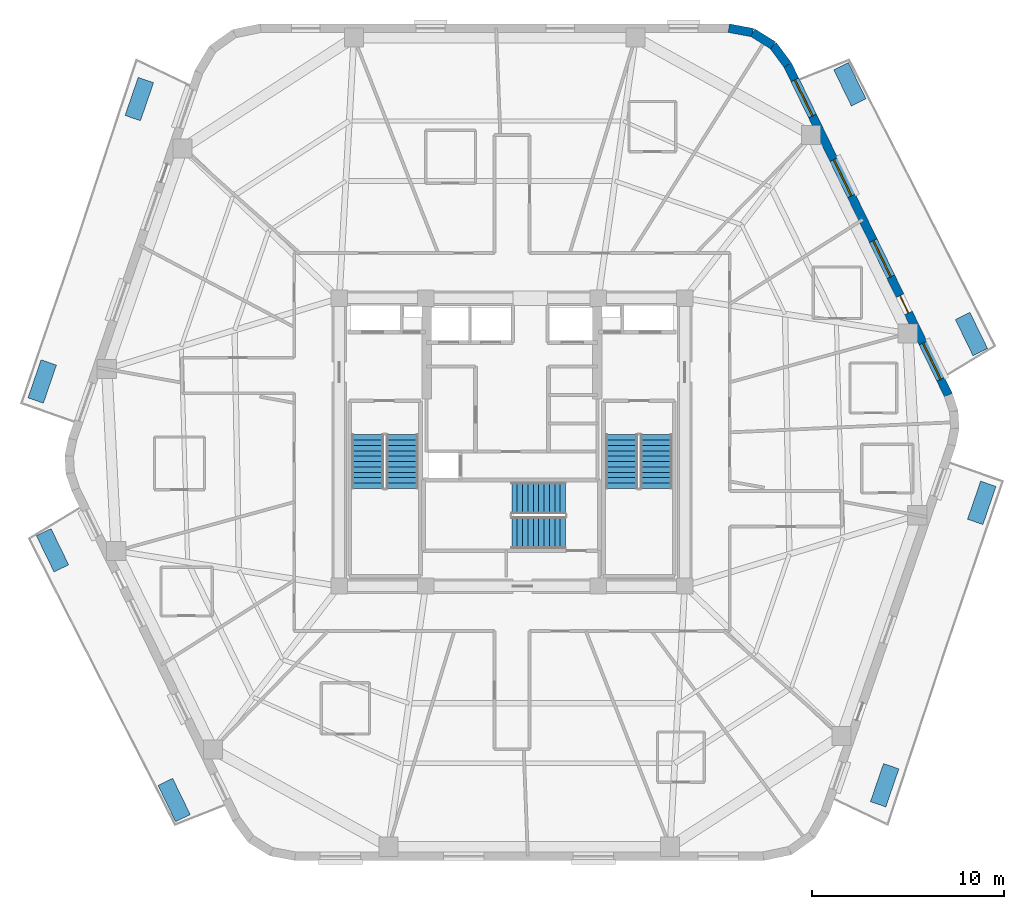
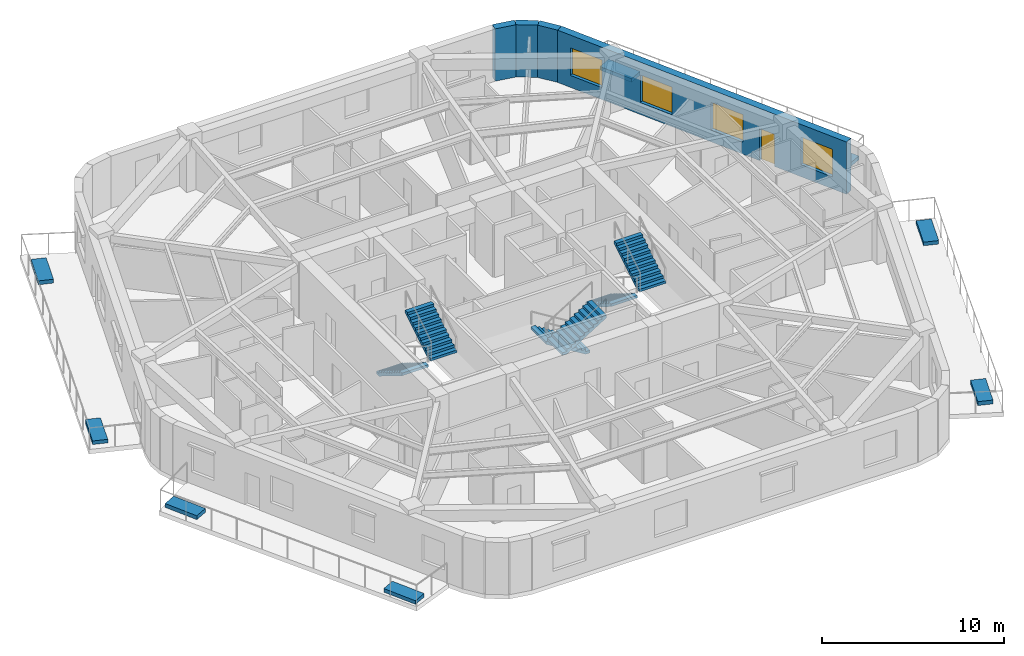
# One storey, part 7 of 10: 8 discrete accessories, 6 stair flights, 4 walls, 4 windows, 1 door, 5 openings, 3 elements without a shape of their own.
"""IFC4 building model written with IfcOpenShell, lengths in metres."""

from ifc_helpers import new_model, si_unit, direction, frame, frame_2d, origin, origin_2d, place, context, subcontext, project, spatial, polyline, rectangle, outline, extrude, material, layer, layer_set, type_object, element, fill, aggregate, save


model = new_model("IFC4")

# Units and contexts
model_context = context("Model", 3, precision=1e-05, world=origin(), true_north=direction((0.0, 1.0)))
body_context = subcontext(model_context, "Body", "Model", "MODEL_VIEW")
ifc_project = project(units=[si_unit("LENGTHUNIT", "METRE"), si_unit("AREAUNIT", "SQUARE_METRE"), si_unit("VOLUMEUNIT", "CUBIC_METRE"), si_unit("PLANEANGLEUNIT", "RADIAN"), si_unit("MASSUNIT", "GRAM", prefix="KILO")], contexts=[model_context])

# Site, building, storey
site_placement = place(None, origin())
site = spatial("IfcSite", under=ifc_project, at=site_placement, CompositionType="ELEMENT")
building_placement = place(site_placement, origin())
building = spatial("IfcBuilding", under=site, at=building_placement, Name="Kilnhurst Terrace Hotel", CompositionType="ELEMENT")
storey_placement = place(building_placement, frame((0.0, 0.0, 206.5)))
storey = spatial("IfcBuildingStorey", under=building, at=storey_placement, Name="L51", CompositionType="ELEMENT", Elevation=206.5)

# Walls
ifc_material_1 = material(Name="Precast concrete C40/50", Category="concrete")
ifc_layer = layer(ifc_material_1, 0.449951171875, Name="Precast concrete C40/50")
ifc_layer_set = layer_set([ifc_layer], Name="Precast concrete C40/50")
wall_type = type_object("IfcWallType", Name="WL-BRK-450", PredefinedType="SOLIDWALL", material=ifc_layer_set)
wall_1_placement = place(storey_placement, frame((14.3623046875, 19.658447265625, 0.0), z_axis=(0.0, 0.0, 1.0), x_axis=(-0.596642462792, 0.80250717853, 0.0)))
element("IfcWall", 1, at=wall_1_placement, inside=storey, type_object=wall_type, Name="L51 Rounded Corner Brick Wall C4.1", PredefinedType="SOLIDWALL", context=body_context, shape_type="SweptSolid", body=[
    extrude(rectangle(XDim=1.27001953125, YDim=0.449951171875, at=frame_2d((0.635009765625, 0.0))), origin(), (0.0, 0.0, 1.0), 3.5),
])
wall_2_placement = place(storey_placement, frame((13.6044921875, 20.677734375, 0.0), z_axis=(0.0, 0.0, 1.0), x_axis=(-0.847910404124, 0.53013955387, 0.0)))
element("IfcWall", 2, at=wall_2_placement, inside=storey, type_object=wall_type, Name="L51 Rounded Corner Brick Wall C4.2", PredefinedType="SOLIDWALL", context=body_context, shape_type="SweptSolid", body=[
    extrude(rectangle(XDim=1.24853515625, YDim=0.449951171875, at=frame_2d((0.624267578125, 0.0))), origin(), (0.0, 0.0, 1.0), 3.5),
])
wall_3_placement = place(storey_placement, frame((12.5458984375, 21.339599609375, 0.0), z_axis=(0.0, 0.0, 1.0), x_axis=(-0.982686750835, 0.18527479519, 0.0)))
element("IfcWall", 3, at=wall_3_placement, inside=storey, type_object=wall_type, Name="L51 Rounded Corner Brick Wall C4.3", PredefinedType="SOLIDWALL", context=body_context, shape_type="SweptSolid", body=[
    extrude(rectangle(XDim=1.270263671875, YDim=0.449951171875, at=frame_2d((0.63525390625, 0.0))), origin(), (0.0, 0.0, 1.0), 3.5),
])

# Wall, openings, door, windows
wall_4_placement = place(storey_placement, frame((22.73974609375, 2.4521484375, 0.0), z_axis=(0.0, 0.0, 1.0), x_axis=(-0.437753424814, 0.899095066755, 0.0)))
wall_4 = element("IfcWall", 4, at=wall_4_placement, inside=storey, type_object=wall_type, Name="L51 Exterior Brick Facade Wall F3", PredefinedType="SOLIDWALL", context=body_context, shape_type="SweptSolid", body=[
    extrude(rectangle(XDim=19.137451171875, YDim=0.449951171875, at=frame_2d((9.56884765625, 0.0))), origin(), (0.0, 0.0, 1.0), 3.5),
])
opening_1_placement = place(wall_4_placement, frame((4.762939453125, 0.0, 0.0)))
opening_1 = element("IfcOpeningElement", 5, at=opening_1_placement, cuts=wall_4, Name="Opening BD-1000", PredefinedType="OPENING", context=body_context, shape_type="SweptSolid", body=[
    extrude(rectangle(XDim=1.0, YDim=2.14990234375, at=frame_2d((0.5, 1.074951171875))), frame((0.0, 0.23486328125, 0.0), z_axis=(0.0, -1.0, 0.0), x_axis=(1.0, 0.0, 0.0)), (0.0, 0.0, 1.0), 0.469970703125),
])
opening_2_placement = place(wall_4_placement, frame((0.916015625, 0.0, 0.800048828125)))
opening_2 = element("IfcOpeningElement", 6, at=opening_2_placement, cuts=wall_4, Name="Opening W-04", PredefinedType="OPENING", context=body_context, shape_type="SweptSolid", body=[
    extrude(rectangle(XDim=2.10009765625, YDim=1.85009765625, at=frame_2d((1.050048828125, 0.925048828125))), frame((0.0, 0.23486328125, 0.0), z_axis=(0.0, -1.0, 0.0), x_axis=(1.0, 0.0, 0.0)), (0.0, 0.0, 1.0), 0.469970703125),
])
opening_3_placement = place(wall_4_placement, frame((6.85107421875, 0.0, 0.800048828125)))
opening_3 = element("IfcOpeningElement", 7, at=opening_3_placement, cuts=wall_4, Name="Opening W-04", PredefinedType="OPENING", context=body_context, shape_type="SweptSolid", body=[
    extrude(rectangle(XDim=2.10009765625, YDim=1.85009765625, at=frame_2d((1.050048828125, 0.925048828125))), frame((0.0, 0.23486328125, 0.0), z_axis=(0.0, -1.0, 0.0), x_axis=(1.0, 0.0, 0.0)), (0.0, 0.0, 1.0), 0.469970703125),
])
opening_4_placement = place(wall_4_placement, frame((11.544921875, 0.0, 0.800048828125)))
opening_4 = element("IfcOpeningElement", 8, at=opening_4_placement, cuts=wall_4, Name="Opening W-04", PredefinedType="OPENING", context=body_context, shape_type="SweptSolid", body=[
    extrude(rectangle(XDim=2.10009765625, YDim=1.85009765625, at=frame_2d((1.050048828125, 0.925048828125))), frame((0.0, 0.23486328125, 0.0), z_axis=(0.0, -1.0, 0.0), x_axis=(1.0, 0.0, 0.0)), (0.0, 0.0, 1.0), 0.469970703125),
])
opening_5_placement = place(wall_4_placement, frame((16.173095703125, 0.0, 0.800048828125)))
opening_5 = element("IfcOpeningElement", 9, at=opening_5_placement, cuts=wall_4, Name="Opening W-04", PredefinedType="OPENING", context=body_context, shape_type="SweptSolid", body=[
    extrude(rectangle(XDim=2.10009765625, YDim=1.85009765625, at=frame_2d((1.050048828125, 0.925048828125))), frame((0.0, 0.23486328125, 0.0), z_axis=(0.0, -1.0, 0.0), x_axis=(1.0, 0.0, 0.0)), (0.0, 0.0, 1.0), 0.469970703125),
])
ifc_material_2 = material(Name="Thermally Broken Bronze Aluminium Alloy 6063-T6 and Laminated Glass", Category="aluminium")
door_type = type_object("IfcDoorType", Name="DR-EXT-BAL-1000", OperationType="NOTDEFINED", PredefinedType="DOOR", material=ifc_material_2)
door_placement = place(opening_1_placement, origin())
door = element("IfcDoor", 10, at=door_placement, inside=storey, type_object=door_type, Name="L51 Planted Balcony Door BAL-L1B", OperationType="SINGLE_SWING_LEFT", OverallHeight=2.14990234375, OverallWidth=1.0, PredefinedType="DOOR", context=body_context, shape_type="SweptSolid", body=[
    extrude(rectangle(XDim=1.0, YDim=2.14990234375, at=frame_2d((0.5, 1.074951171875))), frame((0.0, 0.02490234375, 0.0), z_axis=(0.0, -1.0, 0.0), x_axis=(1.0, 0.0, 0.0)), (0.0, 0.0, 1.0), 0.050048828125),
])
fill(opening_1, door)
ifc_material_3 = material(Name="Thermally Broken Bronze Aluminium Alloy 6063-T6 and Low-E Glass", Category="aluminium")
window_type = type_object("IfcWindowType", Name="WIN-2100X1850", PartitioningType="SINGLE_PANEL", PredefinedType="WINDOW", material=ifc_material_3)
window_1_placement = place(opening_2_placement, origin())
window_1 = element("IfcWindow", 11, at=window_1_placement, inside=storey, type_object=window_type, Name="L51 Deep-Set Masonry Window F3.1", OverallHeight=1.85009765625, OverallWidth=2.10009765625, PartitioningType="SINGLE_PANEL", PredefinedType="WINDOW", context=body_context, shape_type="SweptSolid", body=[
    extrude(rectangle(XDim=2.10009765625, YDim=1.85009765625, at=frame_2d((1.050048828125, 0.925048828125))), frame((0.0, 0.030029296875, 0.0), z_axis=(0.0, -1.0, 0.0), x_axis=(1.0, 0.0, 0.0)), (0.0, 0.0, 1.0), 0.06005859375),
])
fill(opening_2, window_1)
window_2_placement = place(opening_3_placement, origin())
window_2 = element("IfcWindow", 12, at=window_2_placement, inside=storey, type_object=window_type, Name="L51 Deep-Set Masonry Window F3.2", OverallHeight=1.85009765625, OverallWidth=2.10009765625, PartitioningType="SINGLE_PANEL", PredefinedType="WINDOW", context=body_context, shape_type="SweptSolid", body=[
    extrude(rectangle(XDim=2.10009765625, YDim=1.85009765625, at=frame_2d((1.050048828125, 0.925048828125))), frame((0.0, 0.030029296875, 0.0), z_axis=(0.0, -1.0, 0.0), x_axis=(1.0, 0.0, 0.0)), (0.0, 0.0, 1.0), 0.06005859375),
])
fill(opening_3, window_2)
window_3_placement = place(opening_4_placement, origin())
window_3 = element("IfcWindow", 13, at=window_3_placement, inside=storey, type_object=window_type, Name="L51 Deep-Set Masonry Window F3.3", OverallHeight=1.85009765625, OverallWidth=2.10009765625, PartitioningType="SINGLE_PANEL", PredefinedType="WINDOW", context=body_context, shape_type="SweptSolid", body=[
    extrude(rectangle(XDim=2.10009765625, YDim=1.85009765625, at=frame_2d((1.050048828125, 0.925048828125))), frame((0.0, 0.030029296875, 0.0), z_axis=(0.0, -1.0, 0.0), x_axis=(1.0, 0.0, 0.0)), (0.0, 0.0, 1.0), 0.06005859375),
])
fill(opening_4, window_3)
window_4_placement = place(opening_5_placement, origin())
window_4 = element("IfcWindow", 14, at=window_4_placement, inside=storey, type_object=window_type, Name="L51 Deep-Set Masonry Window F3.4", OverallHeight=1.85009765625, OverallWidth=2.10009765625, PartitioningType="SINGLE_PANEL", PredefinedType="WINDOW", context=body_context, shape_type="SweptSolid", body=[
    extrude(rectangle(XDim=2.10009765625, YDim=1.85009765625, at=frame_2d((1.050048828125, 0.925048828125))), frame((0.0, 0.030029296875, 0.0), z_axis=(0.0, -1.0, 0.0), x_axis=(1.0, 0.0, 0.0)), (0.0, 0.0, 1.0), 0.06005859375),
])
fill(opening_5, window_4)

# Stair, stair flights
ifc_material_4 = material(Name="Concrete C50/60", Category="concrete")
stair_type = type_object("IfcStairType", Name="STR-CORE-1660", PredefinedType="HALF_TURN_STAIR", material=ifc_material_4)
stair_1_placement = place(storey_placement, origin())
stair_1 = element("IfcStair", 15, at=stair_1_placement, inside=storey, type_object=stair_type, Name="L51 ST-1", PredefinedType="HALF_TURN_STAIR")
stair_flight_type = type_object("IfcStairFlightType", Name="FLT-RC-1660", PredefinedType="STRAIGHT", material=ifc_material_4)
stair_flight_1_placement = place(storey_placement, frame((-7.52001953125, 0.389892578125, 0.0), z_axis=(0.0, 0.0, 1.0), x_axis=(0.0, -1.0, 0.0)))
stair_flight_1 = element("IfcStairFlight", 16, at=stair_flight_1_placement, type_object=stair_flight_type, Name="ST-1 flight 1", NumberOfRisers=11, NumberOfTreads=10, PredefinedType="STRAIGHT", RiserHeight=0.172727273, TreadLength=0.28, context=body_context, shape_type="SweptSolid", body=[
    extrude(outline(polyline([(0.0, 0.0), (0.0, 0.172607421875), (0.280029296875, 0.172607421875), (0.280029296875, 0.345458984375), (0.56005859375, 0.345458984375), (0.56005859375, 0.51806640625), (0.840087890625, 0.51806640625), (0.840087890625, 0.69091796875), (1.1201171875, 0.69091796875), (1.1201171875, 0.863525390625), (1.39990234375, 0.863525390625), (1.39990234375, 1.036376953125), (1.679931640625, 1.036376953125), (1.679931640625, 1.208984375), (1.9599609375, 1.208984375), (1.9599609375, 1.3818359375), (2.239990234375, 1.3818359375), (2.239990234375, 1.554443359375), (2.52001953125, 1.554443359375), (2.52001953125, 1.727294921875), (2.800048828125, 1.727294921875), (2.800048828125, 1.89990234375), (2.800048828125, 1.551025390625), (0.285400390625, 0.0), (0.0, 0.0)])), frame((0.0, 0.830078125, 0.0), z_axis=(0.0, -1.0, 0.0), x_axis=(1.0, 0.0, 0.0)), (0.0, 0.0, 1.0), 1.659912109375),
])
stair_flight_2_placement = place(storey_placement, frame((-5.7099609375, -2.409912109375, 1.89990234375), z_axis=(0.0, 0.0, 1.0), x_axis=(0.0, 1.0, 0.0)))
stair_flight_2 = element("IfcStairFlight", 17, at=stair_flight_2_placement, type_object=stair_flight_type, Name="ST-1 flight 2", NumberOfRisers=11, NumberOfTreads=10, PredefinedType="STRAIGHT", RiserHeight=0.172727273, TreadLength=0.28, context=body_context, shape_type="SweptSolid", body=[
    extrude(outline(polyline([(0.0, 0.0), (0.0, 0.172607421875), (0.280029296875, 0.172607421875), (0.280029296875, 0.345458984375), (0.56005859375, 0.345458984375), (0.56005859375, 0.51806640625), (0.840087890625, 0.51806640625), (0.840087890625, 0.69091796875), (1.1201171875, 0.69091796875), (1.1201171875, 0.863525390625), (1.39990234375, 0.863525390625), (1.39990234375, 1.036376953125), (1.679931640625, 1.036376953125), (1.679931640625, 1.208984375), (1.9599609375, 1.208984375), (1.9599609375, 1.3818359375), (2.239990234375, 1.3818359375), (2.239990234375, 1.554443359375), (2.52001953125, 1.554443359375), (2.52001953125, 1.727294921875), (2.800048828125, 1.727294921875), (2.800048828125, 1.89990234375), (2.800048828125, 1.551025390625), (0.285400390625, 0.0), (0.0, 0.0)])), frame((0.0, 0.830078125, 0.0), z_axis=(0.0, -1.0, 0.0), x_axis=(1.0, 0.0, 0.0)), (0.0, 0.0, 1.0), 1.659912109375),
])
aggregate(stair_1, [stair_flight_1, stair_flight_2])

stair_2_placement = place(storey_placement, origin())
stair_2 = element("IfcStair", 18, at=stair_2_placement, inside=storey, type_object=stair_type, Name="L51 ST-2", PredefinedType="HALF_TURN_STAIR")
stair_flight_3_placement = place(storey_placement, frame((5.7099609375, 0.389892578125, 0.0), z_axis=(0.0, 0.0, 1.0), x_axis=(0.0, -1.0, 0.0)))
stair_flight_3 = element("IfcStairFlight", 19, at=stair_flight_3_placement, type_object=stair_flight_type, Name="ST-2 flight 1", NumberOfRisers=11, NumberOfTreads=10, PredefinedType="STRAIGHT", RiserHeight=0.172727273, TreadLength=0.28, context=body_context, shape_type="SweptSolid", body=[
    extrude(outline(polyline([(0.0, 0.0), (0.0, 0.172607421875), (0.280029296875, 0.172607421875), (0.280029296875, 0.345458984375), (0.56005859375, 0.345458984375), (0.56005859375, 0.51806640625), (0.840087890625, 0.51806640625), (0.840087890625, 0.69091796875), (1.1201171875, 0.69091796875), (1.1201171875, 0.863525390625), (1.39990234375, 0.863525390625), (1.39990234375, 1.036376953125), (1.679931640625, 1.036376953125), (1.679931640625, 1.208984375), (1.9599609375, 1.208984375), (1.9599609375, 1.3818359375), (2.239990234375, 1.3818359375), (2.239990234375, 1.554443359375), (2.52001953125, 1.554443359375), (2.52001953125, 1.727294921875), (2.800048828125, 1.727294921875), (2.800048828125, 1.89990234375), (2.800048828125, 1.551025390625), (0.285400390625, 0.0), (0.0, 0.0)])), frame((0.0, 0.830078125, 0.0), z_axis=(0.0, -1.0, 0.0), x_axis=(1.0, 0.0, 0.0)), (0.0, 0.0, 1.0), 1.659912109375),
])
stair_flight_4_placement = place(storey_placement, frame((7.52001953125, -2.409912109375, 1.89990234375), z_axis=(0.0, 0.0, 1.0), x_axis=(0.0, 1.0, 0.0)))
stair_flight_4 = element("IfcStairFlight", 20, at=stair_flight_4_placement, type_object=stair_flight_type, Name="ST-2 flight 2", NumberOfRisers=11, NumberOfTreads=10, PredefinedType="STRAIGHT", RiserHeight=0.172727273, TreadLength=0.28, context=body_context, shape_type="SweptSolid", body=[
    extrude(outline(polyline([(0.0, 0.0), (0.0, 0.172607421875), (0.280029296875, 0.172607421875), (0.280029296875, 0.345458984375), (0.56005859375, 0.345458984375), (0.56005859375, 0.51806640625), (0.840087890625, 0.51806640625), (0.840087890625, 0.69091796875), (1.1201171875, 0.69091796875), (1.1201171875, 0.863525390625), (1.39990234375, 0.863525390625), (1.39990234375, 1.036376953125), (1.679931640625, 1.036376953125), (1.679931640625, 1.208984375), (1.9599609375, 1.208984375), (1.9599609375, 1.3818359375), (2.239990234375, 1.3818359375), (2.239990234375, 1.554443359375), (2.52001953125, 1.554443359375), (2.52001953125, 1.727294921875), (2.800048828125, 1.727294921875), (2.800048828125, 1.89990234375), (2.800048828125, 1.551025390625), (0.285400390625, 0.0), (0.0, 0.0)])), frame((0.0, 0.830078125, 0.0), z_axis=(0.0, -1.0, 0.0), x_axis=(1.0, 0.0, 0.0)), (0.0, 0.0, 1.0), 1.659912109375),
])
aggregate(stair_2, [stair_flight_3, stair_flight_4])

stair_3_placement = place(storey_placement, origin())
stair_3 = element("IfcStair", 21, at=stair_3_placement, inside=storey, type_object=stair_type, Name="L51 ST-3", PredefinedType="HALF_TURN_STAIR")
stair_flight_5_placement = place(storey_placement, frame((2.7900390625, -2.909912109375, 0.0), z_axis=(0.0, 0.0, 1.0), x_axis=(-1.0, 0.0, 0.0)))
stair_flight_5 = element("IfcStairFlight", 22, at=stair_flight_5_placement, type_object=stair_flight_type, Name="ST-3 flight 1", NumberOfRisers=11, NumberOfTreads=10, PredefinedType="STRAIGHT", RiserHeight=0.172727273, TreadLength=0.28, context=body_context, shape_type="SweptSolid", body=[
    extrude(outline(polyline([(0.0, 0.0), (0.0, 0.172607421875), (0.280029296875, 0.172607421875), (0.280029296875, 0.345458984375), (0.56005859375, 0.345458984375), (0.56005859375, 0.51806640625), (0.840087890625, 0.51806640625), (0.840087890625, 0.69091796875), (1.1201171875, 0.69091796875), (1.1201171875, 0.863525390625), (1.39990234375, 0.863525390625), (1.39990234375, 1.036376953125), (1.679931640625, 1.036376953125), (1.679931640625, 1.208984375), (1.9599609375, 1.208984375), (1.9599609375, 1.3818359375), (2.239990234375, 1.3818359375), (2.239990234375, 1.554443359375), (2.52001953125, 1.554443359375), (2.52001953125, 1.727294921875), (2.800048828125, 1.727294921875), (2.800048828125, 1.89990234375), (2.800048828125, 1.551025390625), (0.285400390625, 0.0), (0.0, 0.0)])), frame((0.0, 0.830078125, 0.0), z_axis=(0.0, -1.0, 0.0), x_axis=(1.0, 0.0, 0.0)), (0.0, 0.0, 1.0), 1.659912109375),
])
stair_flight_6_placement = place(storey_placement, frame((-0.010009765625, -4.719970703125, 1.89990234375), z_axis=(0.0, 0.0, 1.0), x_axis=(1.0, 0.0, 0.0)))
stair_flight_6 = element("IfcStairFlight", 23, at=stair_flight_6_placement, type_object=stair_flight_type, Name="ST-3 flight 2", NumberOfRisers=11, NumberOfTreads=10, PredefinedType="STRAIGHT", RiserHeight=0.172727273, TreadLength=0.28, context=body_context, shape_type="SweptSolid", body=[
    extrude(outline(polyline([(0.0, 0.0), (0.0, 0.172607421875), (0.280029296875, 0.172607421875), (0.280029296875, 0.345458984375), (0.56005859375, 0.345458984375), (0.56005859375, 0.51806640625), (0.840087890625, 0.51806640625), (0.840087890625, 0.69091796875), (1.1201171875, 0.69091796875), (1.1201171875, 0.863525390625), (1.39990234375, 0.863525390625), (1.39990234375, 1.036376953125), (1.679931640625, 1.036376953125), (1.679931640625, 1.208984375), (1.9599609375, 1.208984375), (1.9599609375, 1.3818359375), (2.239990234375, 1.3818359375), (2.239990234375, 1.554443359375), (2.52001953125, 1.554443359375), (2.52001953125, 1.727294921875), (2.800048828125, 1.727294921875), (2.800048828125, 1.89990234375), (2.800048828125, 1.551025390625), (0.285400390625, 0.0), (0.0, 0.0)])), frame((0.0, 0.830078125, 0.0), z_axis=(0.0, -1.0, 0.0), x_axis=(1.0, 0.0, 0.0)), (0.0, 0.0, 1.0), 1.659912109375),
])
aggregate(stair_3, [stair_flight_5, stair_flight_6])

# Discrete accessories
ifc_material_5 = material(Name="Precast Concrete C40/50 Shrub Planter", Category="concrete")
discrete_accessory_type_1 = type_object("IfcDiscreteAccessoryType", Name="PLN-SHRUB-240", PredefinedType="USERDEFINED", material=ifc_material_5)
for number, where, z_axis, x_axis, name in (
    (24, (24.47998046875, -3.16259765625, 0.0), (0.0, 0.0, 1.0), (0.325089542819, 0.94568323933, 0.0), "L51 Structural Tree Planter Box PLANTER BAL-L1A.2"),
    (25, (17.607177734375, 18.64794921875, 0.0), (0.0, 0.0, 1.0), (-0.437743563395, 0.899099868038, 0.0), "L51 Structural Tree Planter Box PLANTER BAL-L1B.2"),
    (26, (-24.47998046875, 3.16259765625, 0.0), (0.0, 0.0, 1.0), (-0.325089542819, -0.94568323933, 0.0), "L51 Structural Tree Planter Box PLANTER BAL-L2A.2"),
    (27, (-17.607177734375, -18.64794921875, 0.0), (0.0, 0.0, 1.0), (0.437743563395, -0.899099868038, 0.0), "L51 Structural Tree Planter Box PLANTER BAL-L2B.2"),
):
    element("IfcDiscreteAccessory", number, at=place(storey_placement, frame(where, z_axis=z_axis, x_axis=x_axis)), inside=storey, type_object=discrete_accessory_type_1, Name=name, ObjectType="PLANTER", PredefinedType="USERDEFINED", context=body_context, shape_type="SweptSolid", body=[
        extrude(rectangle(XDim=2.10009765625, YDim=0.85009765625, at=origin_2d()), origin(), (0.0, 0.0, 1.0), 0.239990234375),
    ])
ifc_material_6 = material(Name="Precast Concrete C40/50 Tree Planter", Category="concrete")
discrete_accessory_type_2 = type_object("IfcDiscreteAccessoryType", Name="PLN-TREE-260", PredefinedType="USERDEFINED", material=ifc_material_6)
for number, where, z_axis, x_axis, name in (
    (28, (19.4208984375, -17.87939453125, 0.0), (0.0, 0.0, 1.0), (0.325089542819, 0.94568323933, 0.0), "L51 Structural Tree Planter Box PLANTER BAL-L1A.1"),
    (29, (23.942626953125, 5.635009765625, 0.0), (0.0, 0.0, 1.0), (-0.437743563395, 0.899099868038, 0.0), "L51 Structural Tree Planter Box PLANTER BAL-L1B.1"),
    (30, (-19.4208984375, 17.87939453125, 0.0), (0.0, 0.0, 1.0), (-0.325089542819, -0.94568323933, 0.0), "L51 Structural Tree Planter Box PLANTER BAL-L2A.1"),
    (31, (-23.942626953125, -5.635009765625, 0.0), (0.0, 0.0, 1.0), (0.437743563395, -0.899099868038, 0.0), "L51 Structural Tree Planter Box PLANTER BAL-L2B.1"),
):
    element("IfcDiscreteAccessory", number, at=place(storey_placement, frame(where, z_axis=z_axis, x_axis=x_axis)), inside=storey, type_object=discrete_accessory_type_2, Name=name, ObjectType="PLANTER", PredefinedType="USERDEFINED", context=body_context, shape_type="SweptSolid", body=[
        extrude(rectangle(XDim=2.10009765625, YDim=0.85009765625, at=origin_2d()), origin(), (0.0, 0.0, 1.0), 0.260009765625),
    ])

save(model, "model.ifc")
